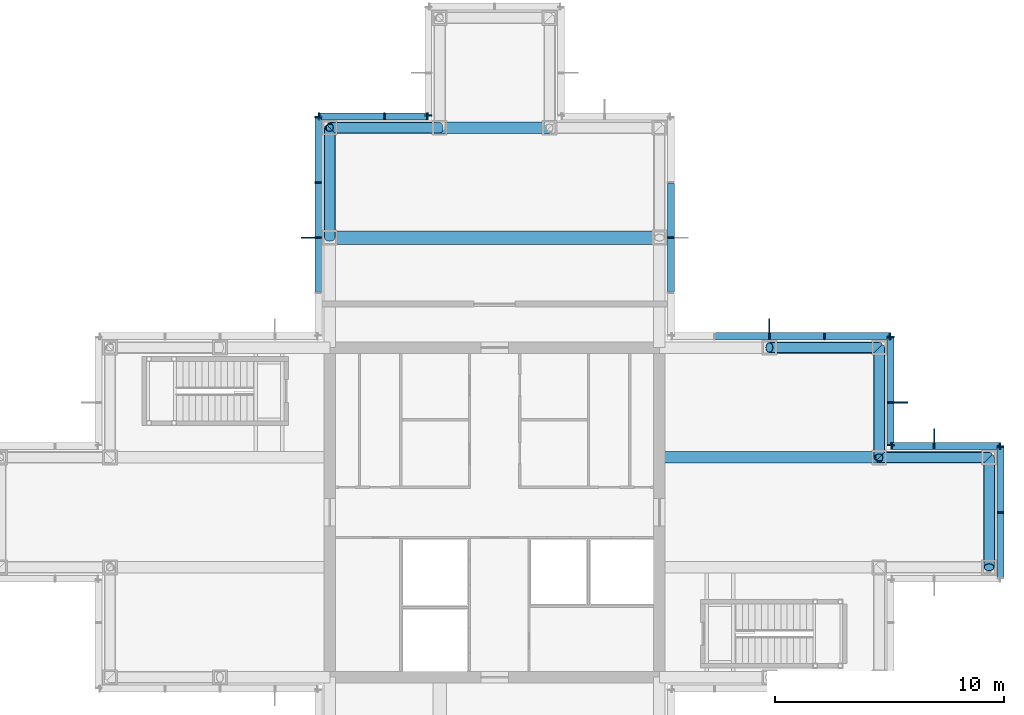
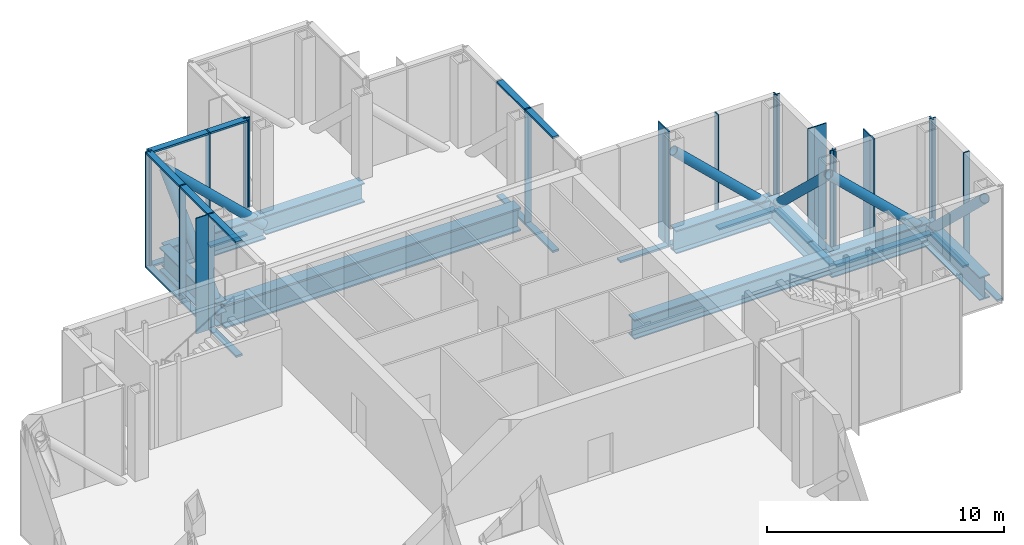
# One storey, part 8 of 13: 52 members, 9 beams, 8 elements without a shape of their own.
"""IFC4 building model written with IfcOpenShell, lengths in metres."""

from ifc_helpers import new_model, si_unit, direction, frame, origin, origin_2d, place, context, subcontext, project, spatial, rectangle, hollow_circle, i_section, extrude, material, material_profile, profile_set, type_object, element, aggregate, save


model = new_model("IFC4")

# Units and contexts
model_context = context("Model", 3, precision=1e-05, world=origin(), true_north=direction((0.0, 1.0)))
body_context = subcontext(model_context, "Body", "Model", "MODEL_VIEW")
ifc_project = project(units=[si_unit("LENGTHUNIT", "METRE"), si_unit("AREAUNIT", "SQUARE_METRE"), si_unit("VOLUMEUNIT", "CUBIC_METRE"), si_unit("PLANEANGLEUNIT", "RADIAN"), si_unit("MASSUNIT", "GRAM", prefix="KILO")], contexts=[model_context])

# Site, building, storey
site_placement = place(None, origin())
site = spatial("IfcSite", under=ifc_project, at=site_placement, CompositionType="ELEMENT")
building_placement = place(site_placement, origin())
building = spatial("IfcBuilding", under=site, at=building_placement, Name="Kvirike Care Tower", CompositionType="ELEMENT")
storey_placement = place(building_placement, frame((0.0, 0.0, 190.0)))
storey = spatial("IfcBuildingStorey", under=building, at=storey_placement, Name="L52", CompositionType="ELEMENT", Elevation=190.0)

# Members
ifc_material_1 = material(Name="Steel S355", Category="steel")
ifc_material_profile_1 = material_profile(ifc_material_1, hollow_circle(Radius=0.228515625, WallThickness=0.02490234375, at=origin_2d()), Name="CHS 457x25")
ifc_profile_set_1 = profile_set([ifc_material_profile_1], Name="Steel S355")
member_type_1 = type_object("IfcMemberType", Name="BELT TRUSS DIAGONAL CHS 457x25", PredefinedType="BRACE", material=ifc_profile_set_1)
member_1_placement = place(storey_placement, frame((43.199951171875, 38.39990234375, -0.85009765625), z_axis=(0.0, -0.723472495583, 0.690353205348), x_axis=(1.0, 0.0, 0.0)))
element("IfcMember", 1, at=member_1_placement, inside=storey, type_object=member_type_1, Name="Belt truss diagonal H12-J12 L52", PredefinedType="BRACE", context=body_context, shape_type="SweptSolid", body=[
    extrude(hollow_circle(Radius=0.228515625, WallThickness=0.02490234375, at=origin_2d()), origin(), (0.0, 0.0, 1.0), 6.63427734375),
])
for number, where, z_axis, x_axis, name in (
    (2, (43.199951171875, 38.39990234375, -0.85009765625), (-0.723490032929, 0.0, 0.690334826191), (0.0, -1.0, 0.0), "Belt truss diagonal J12-J11 L52"),
    (3, (38.39990234375, 43.199951171875, -0.85009765625), (0.0, -0.723490032929, 0.690334826191), (1.0, 0.0, 0.0), "Belt truss diagonal J11-K11 L52"),
):
    element("IfcMember", number, at=place(storey_placement, frame(where, z_axis=z_axis, x_axis=x_axis)), inside=storey, type_object=member_type_1, Name=name, PredefinedType="BRACE", context=body_context, shape_type="SweptSolid", body=[
        extrude(hollow_circle(Radius=0.228515625, WallThickness=0.02490234375, at=origin_2d()), origin(), (0.0, 0.0, 1.0), 6.634521484375),
    ])
member_2_placement = place(storey_placement, frame((38.39990234375, 43.199951171875, -0.85009765625), z_axis=(-0.723472495583, 0.0, 0.690353205348), x_axis=(0.0, -1.0, 0.0)))
element("IfcMember", 4, at=member_2_placement, inside=storey, type_object=member_type_1, Name="Belt truss diagonal K11-K10 L52", PredefinedType="BRACE", context=body_context, shape_type="SweptSolid", body=[
    extrude(hollow_circle(Radius=0.228515625, WallThickness=0.02490234375, at=origin_2d()), origin(), (0.0, 0.0, 1.0), 6.63427734375),
])
for number, where, z_axis, x_axis, name in (
    (5, (19.199951171875, 52.800048828125, -0.85009765625), (-0.723490032929, 0.0, 0.690334826191), (0.0, -1.0, 0.0), "Belt truss diagonal M7-M6 L52"),
    (6, (14.39990234375, 48.0, -0.85009765625), (0.0, 0.723490032929, 0.690334826191), (-1.0, 0.0, 0.0), "Belt truss diagonal M6-L6 L52"),
):
    element("IfcMember", number, at=place(storey_placement, frame(where, z_axis=z_axis, x_axis=x_axis)), inside=storey, type_object=member_type_1, Name=name, PredefinedType="BRACE", context=body_context, shape_type="SweptSolid", body=[
        extrude(hollow_circle(Radius=0.228515625, WallThickness=0.02490234375, at=origin_2d()), origin(), (0.0, 0.0, 1.0), 6.634521484375),
    ])

# Curtain wall, member
ifc_material_2 = material(Name="Anodised aluminium stick system", Category="aluminium")
curtain_wall_type = type_object("IfcCurtainWallType", Name="CW-L LOUVRED PLANT SCREEN", PredefinedType="NOTDEFINED", material=ifc_material_2)
curtain_wall_1_placement = place(storey_placement, origin())
curtain_wall_1 = element("IfcCurtainWall", 7, at=curtain_wall_1_placement, inside=storey, type_object=curtain_wall_type, Name="Curtain wall L52 face 5", PredefinedType="NOTDEFINED")
ifc_material_3 = material(Name="Bronze anodised aluminium fin", Category="aluminium")
ifc_material_profile_2 = material_profile(ifc_material_3, rectangle(XDim=0.050048828125, YDim=0.60009765625, at=origin_2d()), Name="BRONZE FIN 600")
ifc_profile_set_2 = profile_set([ifc_material_profile_2], Name="Bronze anodised aluminium fin")
member_type_2 = type_object("IfcMemberType", Name="BRONZE FIN 600", PredefinedType="USERDEFINED", material=ifc_profile_set_2)
member_3_placement = place(storey_placement, frame((40.800048828125, 39.35009765625, -1.449951171875), z_axis=(0.0, 0.0, 1.0), x_axis=(-1.0, 0.0, 0.0)))
member_3 = element("IfcMember", 8, at=member_3_placement, type_object=member_type_2, Name="Bronze fin L52 face 5.2", ObjectType="FIN", PredefinedType="USERDEFINED", context=body_context, shape_type="SweptSolid", body=[
    extrude(rectangle(XDim=0.050048828125, YDim=0.60009765625, at=origin_2d()), origin(), (0.0, 0.0, 1.0), 5.949951171875),
])

curtain_wall_2_placement = place(storey_placement, origin())
curtain_wall_2 = element("IfcCurtainWall", 9, at=curtain_wall_2_placement, inside=storey, type_object=curtain_wall_type, Name="Curtain wall L52 face 6", PredefinedType="NOTDEFINED")
member_4_placement = place(storey_placement, frame((39.35009765625, 40.800048828125, -1.449951171875), z_axis=(0.0, 0.0, 1.0), x_axis=(0.0, 1.0, 0.0)))
member_4 = element("IfcMember", 10, at=member_4_placement, type_object=member_type_2, Name="Bronze fin L52 face 6.2", ObjectType="FIN", PredefinedType="USERDEFINED", context=body_context, shape_type="SweptSolid", body=[
    extrude(rectangle(XDim=0.050048828125, YDim=0.60009765625, at=origin_2d()), origin(), (0.0, 0.0, 1.0), 5.949951171875),
])

curtain_wall_3_placement = place(storey_placement, origin())
curtain_wall_3 = element("IfcCurtainWall", 11, at=curtain_wall_3_placement, inside=storey, type_object=curtain_wall_type, Name="Curtain wall L52 face 7", PredefinedType="NOTDEFINED")
member_5_placement = place(storey_placement, frame((33.60009765625, 44.14990234375, -1.449951171875), z_axis=(0.0, 0.0, 1.0), x_axis=(-1.0, 0.0, 0.0)))
member_5 = element("IfcMember", 12, at=member_5_placement, type_object=member_type_2, Name="Bronze fin L52 face 7.3", ObjectType="FIN", PredefinedType="USERDEFINED", context=body_context, shape_type="SweptSolid", body=[
    extrude(rectangle(XDim=0.050048828125, YDim=0.60009765625, at=origin_2d()), origin(), (0.0, 0.0, 1.0), 5.949951171875),
])

curtain_wall_4_placement = place(storey_placement, origin())
curtain_wall_4 = element("IfcCurtainWall", 13, at=curtain_wall_4_placement, inside=storey, type_object=curtain_wall_type, Name="Curtain wall L52 face 14", PredefinedType="NOTDEFINED")
member_6_placement = place(storey_placement, frame((13.449951171875, 48.0, -1.449951171875), z_axis=(0.0, 0.0, 1.0), x_axis=(0.0, -1.0, 0.0)))
member_6 = element("IfcMember", 14, at=member_6_placement, type_object=member_type_2, Name="Bronze fin L52 face 14.3", ObjectType="FIN", PredefinedType="USERDEFINED", context=body_context, shape_type="SweptSolid", body=[
    extrude(rectangle(XDim=0.050048828125, YDim=0.60009765625, at=origin_2d()), origin(), (0.0, 0.0, 1.0), 5.949951171875),
])

# Curtain wall, members
curtain_wall_5_placement = place(storey_placement, origin())
curtain_wall_5 = element("IfcCurtainWall", 15, at=curtain_wall_5_placement, inside=storey, type_object=curtain_wall_type, Name="Curtain wall L52 face 4", PredefinedType="NOTDEFINED")
ifc_material_4 = material(Name="Bronze anodised aluminium mullion", Category="aluminium")
ifc_material_profile_3 = material_profile(ifc_material_4, rectangle(XDim=0.06494140625, YDim=0.300048828125, at=origin_2d()), Name="CW-L MULLION 65x300")
ifc_profile_set_3 = profile_set([ifc_material_profile_3], Name="Bronze anodised aluminium mullion")
member_type_3 = type_object("IfcMemberType", Name="CW-L MULLION 65x300", PredefinedType="MULLION", material=ifc_profile_set_3)
member_7_placement = place(storey_placement, frame((43.699951171875, 36.0, -1.449951171875), z_axis=(0.0, 0.0, 1.0), x_axis=(0.0, 1.0, 0.0)))
member_7 = element("IfcMember", 16, at=member_7_placement, type_object=member_type_3, Name="CW-L mullion L52 face 4.2", PredefinedType="MULLION", context=body_context, shape_type="SweptSolid", body=[
    extrude(rectangle(XDim=0.06494140625, YDim=0.300048828125, at=origin_2d()), origin(), (0.0, 0.0, 1.0), 5.949951171875),
])
member_8_placement = place(storey_placement, frame((43.699951171875, 38.867431640625, -1.449951171875), z_axis=(0.0, 0.0, 1.0), x_axis=(0.0, 1.0, 0.0)))
member_8 = element("IfcMember", 17, at=member_8_placement, type_object=member_type_3, Name="CW-L mullion L52 face 4.3", PredefinedType="MULLION", context=body_context, shape_type="SweptSolid", body=[
    extrude(rectangle(XDim=0.06494140625, YDim=0.300048828125, at=origin_2d()), origin(), (0.0, 0.0, 1.0), 5.949951171875),
])

# Member
member_9_placement = place(storey_placement, frame((43.66748046875, 38.89990234375, -1.449951171875), z_axis=(0.0, 0.0, 1.0), x_axis=(-1.0, 0.0, 0.0)))
member_9 = element("IfcMember", 18, at=member_9_placement, type_object=member_type_3, Name="CW-L mullion L52 face 5.1", PredefinedType="MULLION", context=body_context, shape_type="SweptSolid", body=[
    extrude(rectangle(XDim=0.06494140625, YDim=0.300048828125, at=origin_2d()), origin(), (0.0, 0.0, 1.0), 5.949951171875),
])

member_10_placement = place(storey_placement, frame((40.800048828125, 38.89990234375, -1.449951171875), z_axis=(0.0, 0.0, 1.0), x_axis=(-1.0, 0.0, 0.0)))
member_10 = element("IfcMember", 19, at=member_10_placement, type_object=member_type_3, Name="CW-L mullion L52 face 5.2", PredefinedType="MULLION", context=body_context, shape_type="SweptSolid", body=[
    extrude(rectangle(XDim=0.06494140625, YDim=0.300048828125, at=origin_2d()), origin(), (0.0, 0.0, 1.0), 5.949951171875),
])

member_11_placement = place(storey_placement, frame((38.9326171875, 38.89990234375, -1.449951171875), z_axis=(0.0, 0.0, 1.0), x_axis=(-1.0, 0.0, 0.0)))
member_11 = element("IfcMember", 20, at=member_11_placement, type_object=member_type_3, Name="CW-L mullion L52 face 5.3", PredefinedType="MULLION", context=body_context, shape_type="SweptSolid", body=[
    extrude(rectangle(XDim=0.06494140625, YDim=0.300048828125, at=origin_2d()), origin(), (0.0, 0.0, 1.0), 5.949951171875),
])

member_12_placement = place(storey_placement, frame((38.89990234375, 38.9326171875, -1.449951171875), z_axis=(0.0, 0.0, 1.0), x_axis=(0.0, 1.0, 0.0)))
member_12 = element("IfcMember", 21, at=member_12_placement, type_object=member_type_3, Name="CW-L mullion L52 face 6.1", PredefinedType="MULLION", context=body_context, shape_type="SweptSolid", body=[
    extrude(rectangle(XDim=0.06494140625, YDim=0.300048828125, at=origin_2d()), origin(), (0.0, 0.0, 1.0), 5.949951171875),
])

member_13_placement = place(storey_placement, frame((38.89990234375, 40.800048828125, -1.449951171875), z_axis=(0.0, 0.0, 1.0), x_axis=(0.0, 1.0, 0.0)))
member_13 = element("IfcMember", 22, at=member_13_placement, type_object=member_type_3, Name="CW-L mullion L52 face 6.2", PredefinedType="MULLION", context=body_context, shape_type="SweptSolid", body=[
    extrude(rectangle(XDim=0.06494140625, YDim=0.300048828125, at=origin_2d()), origin(), (0.0, 0.0, 1.0), 5.949951171875),
])

member_14_placement = place(storey_placement, frame((38.89990234375, 43.66748046875, -1.449951171875), z_axis=(0.0, 0.0, 1.0), x_axis=(0.0, 1.0, 0.0)))
member_14 = element("IfcMember", 23, at=member_14_placement, type_object=member_type_3, Name="CW-L mullion L52 face 6.3", PredefinedType="MULLION", context=body_context, shape_type="SweptSolid", body=[
    extrude(rectangle(XDim=0.06494140625, YDim=0.300048828125, at=origin_2d()), origin(), (0.0, 0.0, 1.0), 5.949951171875),
])

member_15_placement = place(storey_placement, frame((38.867431640625, 43.699951171875, -1.449951171875), z_axis=(0.0, 0.0, 1.0), x_axis=(-1.0, 0.0, 0.0)))
member_15 = element("IfcMember", 24, at=member_15_placement, type_object=member_type_3, Name="CW-L mullion L52 face 7.1", PredefinedType="MULLION", context=body_context, shape_type="SweptSolid", body=[
    extrude(rectangle(XDim=0.06494140625, YDim=0.300048828125, at=origin_2d()), origin(), (0.0, 0.0, 1.0), 5.949951171875),
])

member_16_placement = place(storey_placement, frame((36.0, 43.699951171875, -1.449951171875), z_axis=(0.0, 0.0, 1.0), x_axis=(-1.0, 0.0, 0.0)))
member_16 = element("IfcMember", 25, at=member_16_placement, type_object=member_type_3, Name="CW-L mullion L52 face 7.2", PredefinedType="MULLION", context=body_context, shape_type="SweptSolid", body=[
    extrude(rectangle(XDim=0.06494140625, YDim=0.300048828125, at=origin_2d()), origin(), (0.0, 0.0, 1.0), 5.949951171875),
])

member_17_placement = place(storey_placement, frame((33.60009765625, 43.699951171875, -1.449951171875), z_axis=(0.0, 0.0, 1.0), x_axis=(-1.0, 0.0, 0.0)))
member_17 = element("IfcMember", 26, at=member_17_placement, type_object=member_type_3, Name="CW-L mullion L52 face 7.3", PredefinedType="MULLION", context=body_context, shape_type="SweptSolid", body=[
    extrude(rectangle(XDim=0.06494140625, YDim=0.300048828125, at=origin_2d()), origin(), (0.0, 0.0, 1.0), 5.949951171875),
])

# Curtain wall, member
curtain_wall_6_placement = place(storey_placement, origin())
curtain_wall_6 = element("IfcCurtainWall", 27, at=curtain_wall_6_placement, inside=storey, type_object=curtain_wall_type, Name="Curtain wall L52 face 8", PredefinedType="NOTDEFINED")
member_18_placement = place(storey_placement, frame((29.300048828125, 48.0, -1.449951171875), z_axis=(0.0, 0.0, 1.0), x_axis=(0.0, 1.0, 0.0)))
member_18 = element("IfcMember", 28, at=member_18_placement, type_object=member_type_3, Name="CW-L mullion L52 face 8.3", PredefinedType="MULLION", context=body_context, shape_type="SweptSolid", body=[
    extrude(rectangle(XDim=0.06494140625, YDim=0.300048828125, at=origin_2d()), origin(), (0.0, 0.0, 1.0), 5.949951171875),
])

curtain_wall_7_placement = place(storey_placement, origin())
curtain_wall_7 = element("IfcCurtainWall", 29, at=curtain_wall_7_placement, inside=storey, type_object=curtain_wall_type, Name="Curtain wall L52 face 12", PredefinedType="NOTDEFINED")
member_19_placement = place(storey_placement, frame((18.699951171875, 53.33251953125, -1.449951171875), z_axis=(0.0, 0.0, 1.0), x_axis=(0.0, -1.0, 0.0)))
member_19 = element("IfcMember", 30, at=member_19_placement, type_object=member_type_3, Name="CW-L mullion L52 face 12.3", PredefinedType="MULLION", context=body_context, shape_type="SweptSolid", body=[
    extrude(rectangle(XDim=0.06494140625, YDim=0.300048828125, at=origin_2d()), origin(), (0.0, 0.0, 1.0), 5.949951171875),
])
aggregate(curtain_wall_7, [member_19])

# Curtain wall, members
curtain_wall_8_placement = place(storey_placement, origin())
curtain_wall_8 = element("IfcCurtainWall", 31, at=curtain_wall_8_placement, inside=storey, type_object=curtain_wall_type, Name="Curtain wall L52 face 13", PredefinedType="NOTDEFINED")
member_20_placement = place(storey_placement, frame((18.66748046875, 53.300048828125, -1.449951171875), z_axis=(0.0, 0.0, 1.0), x_axis=(-1.0, 0.0, 0.0)))
member_20 = element("IfcMember", 32, at=member_20_placement, type_object=member_type_3, Name="CW-L mullion L52 face 13.1", PredefinedType="MULLION", context=body_context, shape_type="SweptSolid", body=[
    extrude(rectangle(XDim=0.06494140625, YDim=0.300048828125, at=origin_2d()), origin(), (0.0, 0.0, 1.0), 5.949951171875),
])
member_21_placement = place(storey_placement, frame((16.800048828125, 53.300048828125, -1.449951171875), z_axis=(0.0, 0.0, 1.0), x_axis=(-1.0, 0.0, 0.0)))
member_21 = element("IfcMember", 33, at=member_21_placement, type_object=member_type_3, Name="CW-L mullion L52 face 13.2", PredefinedType="MULLION", context=body_context, shape_type="SweptSolid", body=[
    extrude(rectangle(XDim=0.06494140625, YDim=0.300048828125, at=origin_2d()), origin(), (0.0, 0.0, 1.0), 5.949951171875),
])
member_22_placement = place(storey_placement, frame((13.9326171875, 53.300048828125, -1.449951171875), z_axis=(0.0, 0.0, 1.0), x_axis=(-1.0, 0.0, 0.0)))
member_22 = element("IfcMember", 34, at=member_22_placement, type_object=member_type_3, Name="CW-L mullion L52 face 13.3", PredefinedType="MULLION", context=body_context, shape_type="SweptSolid", body=[
    extrude(rectangle(XDim=0.06494140625, YDim=0.300048828125, at=origin_2d()), origin(), (0.0, 0.0, 1.0), 5.949951171875),
])

# Member
member_23_placement = place(storey_placement, frame((13.89990234375, 53.267578125, -1.449951171875), z_axis=(0.0, 0.0, 1.0), x_axis=(0.0, -1.0, 0.0)))
member_23 = element("IfcMember", 35, at=member_23_placement, type_object=member_type_3, Name="CW-L mullion L52 face 14.1", PredefinedType="MULLION", context=body_context, shape_type="SweptSolid", body=[
    extrude(rectangle(XDim=0.06494140625, YDim=0.300048828125, at=origin_2d()), origin(), (0.0, 0.0, 1.0), 5.949951171875),
])

member_24_placement = place(storey_placement, frame((13.89990234375, 50.39990234375, -1.449951171875), z_axis=(0.0, 0.0, 1.0), x_axis=(0.0, -1.0, 0.0)))
member_24 = element("IfcMember", 36, at=member_24_placement, type_object=member_type_3, Name="CW-L mullion L52 face 14.2", PredefinedType="MULLION", context=body_context, shape_type="SweptSolid", body=[
    extrude(rectangle(XDim=0.06494140625, YDim=0.300048828125, at=origin_2d()), origin(), (0.0, 0.0, 1.0), 5.949951171875),
])

member_25_placement = place(storey_placement, frame((13.89990234375, 48.0, -1.449951171875), z_axis=(0.0, 0.0, 1.0), x_axis=(0.0, -1.0, 0.0)))
member_25 = element("IfcMember", 37, at=member_25_placement, type_object=member_type_3, Name="CW-L mullion L52 face 14.3", PredefinedType="MULLION", context=body_context, shape_type="SweptSolid", body=[
    extrude(rectangle(XDim=0.06494140625, YDim=0.300048828125, at=origin_2d()), origin(), (0.0, 0.0, 1.0), 5.949951171875),
])

ifc_material_5 = material(Name="Bronze anodised aluminium transom", Category="aluminium")
ifc_material_profile_4 = material_profile(ifc_material_5, rectangle(XDim=0.300048828125, YDim=0.10009765625, at=origin_2d()), Name="CW-L TRANSOM 300x100")
ifc_profile_set_4 = profile_set([ifc_material_profile_4], Name="Bronze anodised aluminium transom")
member_type_4 = type_object("IfcMemberType", Name="CW-L TRANSOM 300x100", PredefinedType="USERDEFINED", material=ifc_profile_set_4)
member_26_placement = place(storey_placement, frame((43.699951171875, 33.1650390625, -1.39990234375), z_axis=(0.0, 1.0, 0.0), x_axis=(-1.0, 0.0, 0.0)))
member_26 = element("IfcMember", 38, at=member_26_placement, type_object=member_type_4, Name="CW-L sill transom L52 face 4.1", ObjectType="TRANSOM", PredefinedType="USERDEFINED", context=body_context, shape_type="SweptSolid", body=[
    extrude(rectangle(XDim=0.300048828125, YDim=0.10009765625, at=origin_2d()), origin(), (0.0, 0.0, 1.0), 2.802490234375),
])

member_27_placement = place(storey_placement, frame((43.699951171875, 36.032470703125, -1.39990234375), z_axis=(0.0, 1.0, 0.0), x_axis=(-1.0, 0.0, 0.0)))
member_27 = element("IfcMember", 39, at=member_27_placement, type_object=member_type_4, Name="CW-L sill transom L52 face 4.2", ObjectType="TRANSOM", PredefinedType="USERDEFINED", context=body_context, shape_type="SweptSolid", body=[
    extrude(rectangle(XDim=0.300048828125, YDim=0.10009765625, at=origin_2d()), origin(), (0.0, 0.0, 1.0), 2.802490234375),
])

aggregate(curtain_wall_5, [member_7, member_8, member_26, member_27])

member_28_placement = place(storey_placement, frame((43.635009765625, 38.89990234375, -1.39990234375), z_axis=(-1.0, 0.0, 0.0), x_axis=(0.0, -1.0, 0.0)))
member_28 = element("IfcMember", 40, at=member_28_placement, type_object=member_type_4, Name="CW-L sill transom L52 face 5.1", ObjectType="TRANSOM", PredefinedType="USERDEFINED", context=body_context, shape_type="SweptSolid", body=[
    extrude(rectangle(XDim=0.300048828125, YDim=0.10009765625, at=origin_2d()), origin(), (0.0, 0.0, 1.0), 2.802490234375),
])

member_29_placement = place(storey_placement, frame((40.767578125, 38.89990234375, -1.39990234375), z_axis=(-1.0, 0.0, 0.0), x_axis=(0.0, -1.0, 0.0)))
member_29 = element("IfcMember", 41, at=member_29_placement, type_object=member_type_4, Name="CW-L sill transom L52 face 5.2", ObjectType="TRANSOM", PredefinedType="USERDEFINED", context=body_context, shape_type="SweptSolid", body=[
    extrude(rectangle(XDim=0.300048828125, YDim=0.10009765625, at=origin_2d()), origin(), (0.0, 0.0, 1.0), 1.802490234375),
])

aggregate(curtain_wall_1, [member_9, member_10, member_3, member_11, member_28, member_29])

member_30_placement = place(storey_placement, frame((38.89990234375, 38.965087890625, -1.39990234375), z_axis=(0.0, 1.0, 0.0), x_axis=(-1.0, 0.0, 0.0)))
member_30 = element("IfcMember", 42, at=member_30_placement, type_object=member_type_4, Name="CW-L sill transom L52 face 6.1", ObjectType="TRANSOM", PredefinedType="USERDEFINED", context=body_context, shape_type="SweptSolid", body=[
    extrude(rectangle(XDim=0.300048828125, YDim=0.10009765625, at=origin_2d()), origin(), (0.0, 0.0, 1.0), 1.802490234375),
])

member_31_placement = place(storey_placement, frame((38.89990234375, 40.83251953125, -1.39990234375), z_axis=(0.0, 1.0, 0.0), x_axis=(-1.0, 0.0, 0.0)))
member_31 = element("IfcMember", 43, at=member_31_placement, type_object=member_type_4, Name="CW-L sill transom L52 face 6.2", ObjectType="TRANSOM", PredefinedType="USERDEFINED", context=body_context, shape_type="SweptSolid", body=[
    extrude(rectangle(XDim=0.300048828125, YDim=0.10009765625, at=origin_2d()), origin(), (0.0, 0.0, 1.0), 2.802490234375),
])

aggregate(curtain_wall_2, [member_12, member_13, member_4, member_14, member_30, member_31])

member_32_placement = place(storey_placement, frame((38.8349609375, 43.699951171875, -1.39990234375), z_axis=(-1.0, 0.0, 0.0), x_axis=(0.0, -1.0, 0.0)))
member_32 = element("IfcMember", 44, at=member_32_placement, type_object=member_type_4, Name="CW-L sill transom L52 face 7.1", ObjectType="TRANSOM", PredefinedType="USERDEFINED", context=body_context, shape_type="SweptSolid", body=[
    extrude(rectangle(XDim=0.300048828125, YDim=0.10009765625, at=origin_2d()), origin(), (0.0, 0.0, 1.0), 2.802490234375),
])

member_33_placement = place(storey_placement, frame((35.967529296875, 43.699951171875, -1.39990234375), z_axis=(-1.0, 0.0, 0.0), x_axis=(0.0, -1.0, 0.0)))
member_33 = element("IfcMember", 45, at=member_33_placement, type_object=member_type_4, Name="CW-L sill transom L52 face 7.2", ObjectType="TRANSOM", PredefinedType="USERDEFINED", context=body_context, shape_type="SweptSolid", body=[
    extrude(rectangle(XDim=0.300048828125, YDim=0.10009765625, at=origin_2d()), origin(), (0.0, 0.0, 1.0), 2.3349609375),
])

member_34_placement = place(storey_placement, frame((33.5673828125, 43.699951171875, -1.39990234375), z_axis=(-1.0, 0.0, 0.0), x_axis=(0.0, -1.0, 0.0)))
member_34 = element("IfcMember", 46, at=member_34_placement, type_object=member_type_4, Name="CW-L sill transom L52 face 7.3", ObjectType="TRANSOM", PredefinedType="USERDEFINED", context=body_context, shape_type="SweptSolid", body=[
    extrude(rectangle(XDim=0.300048828125, YDim=0.10009765625, at=origin_2d()), origin(), (0.0, 0.0, 1.0), 2.3349609375),
])

aggregate(curtain_wall_3, [member_15, member_16, member_17, member_5, member_32, member_33, member_34])

member_35_placement = place(storey_placement, frame((29.300048828125, 45.632568359375, -1.39990234375), z_axis=(0.0, 1.0, 0.0), x_axis=(-1.0, 0.0, 0.0)))
member_35 = element("IfcMember", 47, at=member_35_placement, type_object=member_type_4, Name="CW-L sill transom L52 face 8.2", ObjectType="TRANSOM", PredefinedType="USERDEFINED", context=body_context, shape_type="SweptSolid", body=[
    extrude(rectangle(XDim=0.300048828125, YDim=0.10009765625, at=origin_2d()), origin(), (0.0, 0.0, 1.0), 2.3349609375),
])

member_36_placement = place(storey_placement, frame((29.300048828125, 45.632568359375, 4.449951171875), z_axis=(0.0, 1.0, 0.0), x_axis=(-1.0, 0.0, 0.0)))
member_36 = element("IfcMember", 48, at=member_36_placement, type_object=member_type_4, Name="CW-L head transom L52 face 8.2", ObjectType="TRANSOM", PredefinedType="USERDEFINED", context=body_context, shape_type="SweptSolid", body=[
    extrude(rectangle(XDim=0.300048828125, YDim=0.10009765625, at=origin_2d()), origin(), (0.0, 0.0, 1.0), 2.3349609375),
])

member_37_placement = place(storey_placement, frame((29.300048828125, 48.032470703125, -1.39990234375), z_axis=(0.0, 1.0, 0.0), x_axis=(-1.0, 0.0, 0.0)))
member_37 = element("IfcMember", 49, at=member_37_placement, type_object=member_type_4, Name="CW-L sill transom L52 face 8.3", ObjectType="TRANSOM", PredefinedType="USERDEFINED", context=body_context, shape_type="SweptSolid", body=[
    extrude(rectangle(XDim=0.300048828125, YDim=0.10009765625, at=origin_2d()), origin(), (0.0, 0.0, 1.0), 2.3349609375),
])

member_38_placement = place(storey_placement, frame((29.300048828125, 48.032470703125, 4.449951171875), z_axis=(0.0, 1.0, 0.0), x_axis=(-1.0, 0.0, 0.0)))
member_38 = element("IfcMember", 50, at=member_38_placement, type_object=member_type_4, Name="CW-L head transom L52 face 8.3", ObjectType="TRANSOM", PredefinedType="USERDEFINED", context=body_context, shape_type="SweptSolid", body=[
    extrude(rectangle(XDim=0.300048828125, YDim=0.10009765625, at=origin_2d()), origin(), (0.0, 0.0, 1.0), 2.3349609375),
])

aggregate(curtain_wall_6, [member_18, member_35, member_36, member_37, member_38])

member_39_placement = place(storey_placement, frame((18.635009765625, 53.300048828125, -1.39990234375), z_axis=(-1.0, 0.0, 0.0), x_axis=(0.0, -1.0, 0.0)))
member_39 = element("IfcMember", 51, at=member_39_placement, type_object=member_type_4, Name="CW-L sill transom L52 face 13.1", ObjectType="TRANSOM", PredefinedType="USERDEFINED", context=body_context, shape_type="SweptSolid", body=[
    extrude(rectangle(XDim=0.300048828125, YDim=0.10009765625, at=origin_2d()), origin(), (0.0, 0.0, 1.0), 1.802490234375),
])

member_40_placement = place(storey_placement, frame((18.635009765625, 53.300048828125, 4.449951171875), z_axis=(-1.0, 0.0, 0.0), x_axis=(0.0, -1.0, 0.0)))
member_40 = element("IfcMember", 52, at=member_40_placement, type_object=member_type_4, Name="CW-L head transom L52 face 13.1", ObjectType="TRANSOM", PredefinedType="USERDEFINED", context=body_context, shape_type="SweptSolid", body=[
    extrude(rectangle(XDim=0.300048828125, YDim=0.10009765625, at=origin_2d()), origin(), (0.0, 0.0, 1.0), 1.802490234375),
])

member_41_placement = place(storey_placement, frame((16.767578125, 53.300048828125, -1.39990234375), z_axis=(-1.0, 0.0, 0.0), x_axis=(0.0, -1.0, 0.0)))
member_41 = element("IfcMember", 53, at=member_41_placement, type_object=member_type_4, Name="CW-L sill transom L52 face 13.2", ObjectType="TRANSOM", PredefinedType="USERDEFINED", context=body_context, shape_type="SweptSolid", body=[
    extrude(rectangle(XDim=0.300048828125, YDim=0.10009765625, at=origin_2d()), origin(), (0.0, 0.0, 1.0), 2.802490234375),
])

member_42_placement = place(storey_placement, frame((16.767578125, 53.300048828125, 4.449951171875), z_axis=(-1.0, 0.0, 0.0), x_axis=(0.0, -1.0, 0.0)))
member_42 = element("IfcMember", 54, at=member_42_placement, type_object=member_type_4, Name="CW-L head transom L52 face 13.2", ObjectType="TRANSOM", PredefinedType="USERDEFINED", context=body_context, shape_type="SweptSolid", body=[
    extrude(rectangle(XDim=0.300048828125, YDim=0.10009765625, at=origin_2d()), origin(), (0.0, 0.0, 1.0), 2.802490234375),
])

aggregate(curtain_wall_8, [member_20, member_21, member_22, member_39, member_40, member_41, member_42])

member_43_placement = place(storey_placement, frame((13.89990234375, 53.235107421875, -1.39990234375), z_axis=(0.0, -1.0, 0.0), x_axis=(1.0, 0.0, 0.0)))
member_43 = element("IfcMember", 55, at=member_43_placement, type_object=member_type_4, Name="CW-L sill transom L52 face 14.1", ObjectType="TRANSOM", PredefinedType="USERDEFINED", context=body_context, shape_type="SweptSolid", body=[
    extrude(rectangle(XDim=0.300048828125, YDim=0.10009765625, at=origin_2d()), origin(), (0.0, 0.0, 1.0), 2.802490234375),
])

member_44_placement = place(storey_placement, frame((13.89990234375, 53.235107421875, 4.449951171875), z_axis=(0.0, -1.0, 0.0), x_axis=(1.0, 0.0, 0.0)))
member_44 = element("IfcMember", 56, at=member_44_placement, type_object=member_type_4, Name="CW-L head transom L52 face 14.1", ObjectType="TRANSOM", PredefinedType="USERDEFINED", context=body_context, shape_type="SweptSolid", body=[
    extrude(rectangle(XDim=0.300048828125, YDim=0.10009765625, at=origin_2d()), origin(), (0.0, 0.0, 1.0), 2.802490234375),
])

member_45_placement = place(storey_placement, frame((13.89990234375, 50.367431640625, -1.39990234375), z_axis=(0.0, -1.0, 0.0), x_axis=(1.0, 0.0, 0.0)))
member_45 = element("IfcMember", 57, at=member_45_placement, type_object=member_type_4, Name="CW-L sill transom L52 face 14.2", ObjectType="TRANSOM", PredefinedType="USERDEFINED", context=body_context, shape_type="SweptSolid", body=[
    extrude(rectangle(XDim=0.300048828125, YDim=0.10009765625, at=origin_2d()), origin(), (0.0, 0.0, 1.0), 2.3349609375),
])

member_46_placement = place(storey_placement, frame((13.89990234375, 50.367431640625, 4.449951171875), z_axis=(0.0, -1.0, 0.0), x_axis=(1.0, 0.0, 0.0)))
member_46 = element("IfcMember", 58, at=member_46_placement, type_object=member_type_4, Name="CW-L head transom L52 face 14.2", ObjectType="TRANSOM", PredefinedType="USERDEFINED", context=body_context, shape_type="SweptSolid", body=[
    extrude(rectangle(XDim=0.300048828125, YDim=0.10009765625, at=origin_2d()), origin(), (0.0, 0.0, 1.0), 2.3349609375),
])

member_47_placement = place(storey_placement, frame((13.89990234375, 47.967529296875, -1.39990234375), z_axis=(0.0, -1.0, 0.0), x_axis=(1.0, 0.0, 0.0)))
member_47 = element("IfcMember", 59, at=member_47_placement, type_object=member_type_4, Name="CW-L sill transom L52 face 14.3", ObjectType="TRANSOM", PredefinedType="USERDEFINED", context=body_context, shape_type="SweptSolid", body=[
    extrude(rectangle(XDim=0.300048828125, YDim=0.10009765625, at=origin_2d()), origin(), (0.0, 0.0, 1.0), 2.3349609375),
])

member_48_placement = place(storey_placement, frame((13.89990234375, 47.967529296875, 4.449951171875), z_axis=(0.0, -1.0, 0.0), x_axis=(1.0, 0.0, 0.0)))
member_48 = element("IfcMember", 60, at=member_48_placement, type_object=member_type_4, Name="CW-L head transom L52 face 14.3", ObjectType="TRANSOM", PredefinedType="USERDEFINED", context=body_context, shape_type="SweptSolid", body=[
    extrude(rectangle(XDim=0.300048828125, YDim=0.10009765625, at=origin_2d()), origin(), (0.0, 0.0, 1.0), 2.3349609375),
])

aggregate(curtain_wall_4, [member_23, member_24, member_25, member_6, member_43, member_44, member_45, member_46, member_47, member_48])

# Beams
ifc_material_6 = material(Name="Steel S355", Category="steel")
ifc_material_profile_5 = material_profile(ifc_material_6, i_section(OverallWidth=0.5, OverallDepth=1.0, WebThickness=0.030029296875, FlangeThickness=0.06005859375, at=origin_2d()), Name="PG 1000x500x30x60")
ifc_profile_set_5 = profile_set([ifc_material_profile_5], Name="Steel S355")
beam_type_1 = type_object("IfcBeamType", Name="PLANT FLOOR GIRDER PG 1000x500x30x60", PredefinedType="BEAM", material=ifc_profile_set_5)
beam_1_placement = place(storey_placement, frame((28.800048828125, 38.39990234375, -0.75), z_axis=(1.0, 0.0, 0.0), x_axis=(0.0, 1.0, 0.0)))
element("IfcBeam", 61, at=beam_1_placement, inside=storey, type_object=beam_type_1, Name="Plant Floor Girder J9-J11 L52", PredefinedType="BEAM", context=body_context, shape_type="SweptSolid", body=[
    extrude(i_section(OverallWidth=0.5, OverallDepth=1.0, WebThickness=0.030029296875, FlangeThickness=0.06005859375, at=origin_2d()), origin(), (0.0, 0.0, 1.0), 9.599853515625),
])
beam_2_placement = place(storey_placement, frame((19.199951171875, 52.800048828125, -0.75), z_axis=(1.0, 0.0, 0.0), x_axis=(0.0, 1.0, 0.0)))
element("IfcBeam", 62, at=beam_2_placement, inside=storey, type_object=beam_type_1, Name="Plant Floor Girder M7-M8 L52", PredefinedType="BEAM", context=body_context, shape_type="SweptSolid", body=[
    extrude(i_section(OverallWidth=0.5, OverallDepth=1.0, WebThickness=0.030029296875, FlangeThickness=0.06005859375, at=origin_2d()), origin(), (0.0, 0.0, 1.0), 4.800048828125),
])
ifc_material_7 = material(Name="Steel S355", Category="steel")
ifc_material_profile_6 = material_profile(ifc_material_7, i_section(OverallWidth=0.60009765625, OverallDepth=1.199951171875, WebThickness=0.0400390625, FlangeThickness=0.080078125, at=origin_2d()), Name="PG 1200x600x40x80")
ifc_profile_set_6 = profile_set([ifc_material_profile_6], Name="Steel S355")
beam_type_2 = type_object("IfcBeamType", Name="PLANT FLOOR GIRDER PG 1200x600x40x80", PredefinedType="BEAM", material=ifc_profile_set_6)
beam_3_placement = place(storey_placement, frame((14.39990234375, 48.0, -0.85009765625), z_axis=(1.0, 0.0, 0.0), x_axis=(0.0, 1.0, 0.0)))
element("IfcBeam", 63, at=beam_3_placement, inside=storey, type_object=beam_type_2, Name="Plant Floor Girder L6-L9 L52", PredefinedType="BEAM", context=body_context, shape_type="SweptSolid", body=[
    extrude(i_section(OverallWidth=0.60009765625, OverallDepth=1.199951171875, WebThickness=0.0400390625, FlangeThickness=0.080078125, at=origin_2d()), origin(), (0.0, 0.0, 1.0), 14.400146484375),
])
ifc_material_8 = material(Name="Steel S355", Category="steel")
ifc_material_profile_7 = material_profile(ifc_material_8, i_section(OverallWidth=0.5, OverallDepth=1.199951171875, WebThickness=0.030029296875, FlangeThickness=0.06005859375, at=origin_2d()), Name="PG 1200x500x30x60")
ifc_profile_set_7 = profile_set([ifc_material_profile_7], Name="Steel S355")
beam_type_3 = type_object("IfcBeamType", Name="SPANDREL PG 1200x500x30x60", PredefinedType="SPANDREL", material=ifc_profile_set_7)
beam_4_placement = place(storey_placement, frame((38.39990234375, 38.39990234375, -0.85009765625), z_axis=(1.0, 0.0, 0.0), x_axis=(0.0, 1.0, 0.0)))
element("IfcBeam", 64, at=beam_4_placement, inside=storey, type_object=beam_type_3, Name="Spandrel J11-J12 L52", PredefinedType="SPANDREL", context=body_context, shape_type="SweptSolid", body=[
    extrude(i_section(OverallWidth=0.5, OverallDepth=1.199951171875, WebThickness=0.030029296875, FlangeThickness=0.06005859375, at=origin_2d()), origin(), (0.0, 0.0, 1.0), 4.800048828125),
])
beam_5_placement = place(storey_placement, frame((33.60009765625, 43.199951171875, -0.85009765625), z_axis=(1.0, 0.0, 0.0), x_axis=(0.0, 1.0, 0.0)))
element("IfcBeam", 65, at=beam_5_placement, inside=storey, type_object=beam_type_3, Name="Spandrel K10-K11 L52", PredefinedType="SPANDREL", context=body_context, shape_type="SweptSolid", body=[
    extrude(i_section(OverallWidth=0.5, OverallDepth=1.199951171875, WebThickness=0.030029296875, FlangeThickness=0.06005859375, at=origin_2d()), origin(), (0.0, 0.0, 1.0), 4.7998046875),
])
for number, where, z_axis, x_axis, name in (
    (66, (14.39990234375, 52.800048828125, -0.85009765625), (1.0, 0.0, 0.0), (0.0, 1.0, 0.0), "Spandrel M6-M7 L52"),
    (67, (14.39990234375, 48.0, -0.85009765625), (0.0, 1.0, 0.0), (-1.0, 0.0, 0.0), "Spandrel L6-M6 L52"),
    (68, (38.39990234375, 38.39990234375, -0.85009765625), (0.0, 1.0, 0.0), (-1.0, 0.0, 0.0), "Spandrel J11-K11 L52"),
):
    element("IfcBeam", number, at=place(storey_placement, frame(where, z_axis=z_axis, x_axis=x_axis)), inside=storey, type_object=beam_type_3, Name=name, PredefinedType="SPANDREL", context=body_context, shape_type="SweptSolid", body=[
        extrude(i_section(OverallWidth=0.5, OverallDepth=1.199951171875, WebThickness=0.030029296875, FlangeThickness=0.06005859375, at=origin_2d()), origin(), (0.0, 0.0, 1.0), 4.800048828125),
    ])
beam_6_placement = place(storey_placement, frame((43.199951171875, 33.60009765625, -0.85009765625), z_axis=(0.0, 1.0, 0.0), x_axis=(-1.0, 0.0, 0.0)))
element("IfcBeam", 69, at=beam_6_placement, inside=storey, type_object=beam_type_3, Name="Spandrel H12-J12 L52", PredefinedType="SPANDREL", context=body_context, shape_type="SweptSolid", body=[
    extrude(i_section(OverallWidth=0.5, OverallDepth=1.199951171875, WebThickness=0.030029296875, FlangeThickness=0.06005859375, at=origin_2d()), origin(), (0.0, 0.0, 1.0), 4.7998046875),
])

save(model, "model.ifc")
